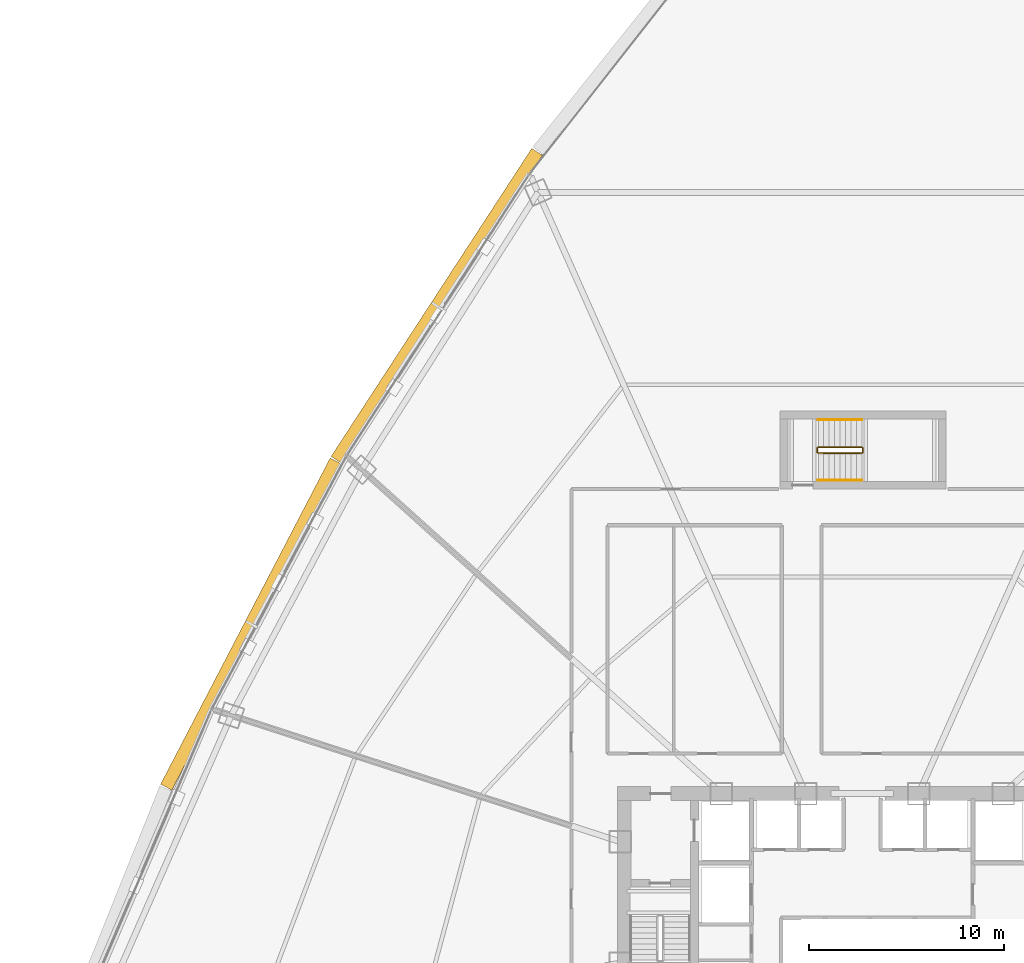
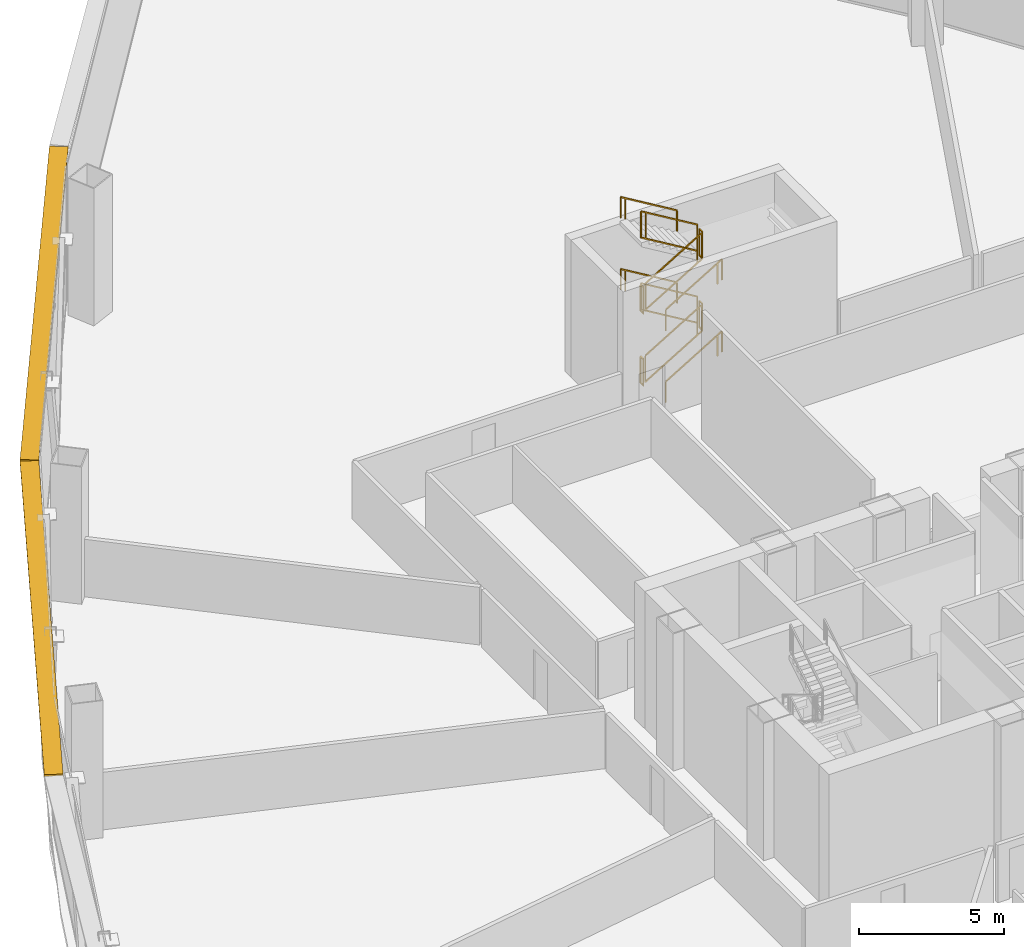
# One storey, part 40 of 41: 12 railings, 2 shading devices.
"""IFC4 building model written with IfcOpenShell, lengths in metres."""

from ifc_helpers import new_model, si_unit, direction, frame, origin, origin_2d, place, context, subcontext, project, spatial, rectangle, extrude, source, transform, mapped, material, layer, layer_set, type_object, element, save


model = new_model("IFC4")

# Units and contexts
model_context = context("Model", 3, precision=1e-05, world=origin(), true_north=direction((0.0, 1.0)))
body_context = subcontext(model_context, "Body", "Model", "MODEL_VIEW")
ifc_project = project(units=[si_unit("LENGTHUNIT", "METRE"), si_unit("AREAUNIT", "SQUARE_METRE"), si_unit("VOLUMEUNIT", "CUBIC_METRE"), si_unit("PLANEANGLEUNIT", "RADIAN"), si_unit("MASSUNIT", "GRAM", prefix="KILO"), si_unit("THERMODYNAMICTEMPERATUREUNIT", "KELVIN"), si_unit("POWERUNIT", "WATT")], contexts=[model_context])

# Site, building, storey
site_placement = place(None, origin())
site = spatial("IfcSite", under=ifc_project, at=site_placement, CompositionType="ELEMENT")
building_placement = place(site_placement, origin())
building = spatial("IfcBuilding", under=site, at=building_placement, Name="Yunzhuo Pagoda Commons", CompositionType="ELEMENT")
storey_placement = place(building_placement, frame((0.0, 0.0, 70.330078125)))
storey = spatial("IfcBuildingStorey", under=building, at=storey_placement, Name="L18", CompositionType="ELEMENT", Elevation=70.330078125)

# Railings
ifc_material = material(Name="Anodized aluminium 6063-T6", Category="aluminium")
railing_type_1 = type_object("IfcRailingType", Name="GR-ST3 North Well Guardrail 1155", PredefinedType="GUARDRAIL", material=ifc_material)
railing_1_placement = place(storey_placement, frame((45.75, 57.64990234375, 0.16796875)))
element("IfcRailing", 1, at=railing_1_placement, inside=storey, type_object=railing_type_1, Name="L18 ST3 stair guard 1", PredefinedType="GUARDRAIL", context=body_context, shape_type="SweptSolid", body=[
    extrude(rectangle(XDim=0.048095703125, YDim=0.048095703125, at=origin_2d()), frame((0.0, 0.0, 1.1259765625), z_axis=(0.857410458173, 0.0, 0.514633176366), x_axis=(0.0, 1.0, 0.0)), (0.0, 0.0, 1.0), 2.612548828125),
    extrude(rectangle(XDim=0.048095703125, YDim=0.048095703125, at=origin_2d()), frame((0.0, 0.0, 0.02392578125), z_axis=(0.857410458173, 0.0, 0.514633176366), x_axis=(0.0, 1.0, 0.0)), (0.0, 0.0, 1.0), 2.612548828125),
    extrude(rectangle(XDim=0.0419921875, YDim=0.0419921875, at=origin_2d()), origin(), (0.0, 0.0, 1.0), 1.101806640625),
    extrude(rectangle(XDim=0.0419921875, YDim=0.0419921875, at=origin_2d()), frame((2.057861328125, 0.0, 1.235107421875)), (0.0, 0.0, 1.0), 1.101806640625),
    extrude(rectangle(XDim=0.0419921875, YDim=0.0419921875, at=origin_2d()), frame((2.239990234375, 0.0, 1.344482421875)), (0.0, 0.0, 1.0), 1.101806640625),
])
railing_2_placement = place(storey_placement, frame((48.0400390625, 57.699951171875, 1.512451171875)))
element("IfcRailing", 2, at=railing_2_placement, inside=storey, type_object=railing_type_1, Name="L18 ST3 stair guard 2", PredefinedType="GUARDRAIL", context=body_context, shape_type="SweptSolid", body=[
    extrude(rectangle(XDim=0.048095703125, YDim=0.048095703125, at=origin_2d()), frame((0.0, 0.0, 1.1259765625), z_axis=(0.0, 1.0, 0.0), x_axis=(-1.0, 0.0, 0.0)), (0.0, 0.0, 1.0), 0.199951171875),
    extrude(rectangle(XDim=0.048095703125, YDim=0.048095703125, at=origin_2d()), frame((0.0, 0.0, 0.02392578125), z_axis=(0.0, 1.0, 0.0), x_axis=(-1.0, 0.0, 0.0)), (0.0, 0.0, 1.0), 0.199951171875),
    extrude(rectangle(XDim=0.0419921875, YDim=0.0419921875, at=origin_2d()), origin(), (0.0, 0.0, 1.0), 1.101806640625),
    extrude(rectangle(XDim=0.0419921875, YDim=0.0419921875, at=origin_2d()), frame((0.0, 0.199951171875, 0.0)), (0.0, 0.0, 1.0), 1.101806640625),
])
railing_3_placement = place(storey_placement, frame((47.989990234375, 57.949951171875, 1.680419921875)))
element("IfcRailing", 3, at=railing_3_placement, inside=storey, type_object=railing_type_1, Name="L18 ST3 stair guard 3", PredefinedType="GUARDRAIL", context=body_context, shape_type="SweptSolid", body=[
    extrude(rectangle(XDim=0.048095703125, YDim=0.048095703125, at=origin_2d()), frame((0.0, 0.0, 1.1259765625), z_axis=(-0.857410458173, 0.0, 0.514633176366), x_axis=(0.0, -1.0, 0.0)), (0.0, 0.0, 1.0), 2.612548828125),
    extrude(rectangle(XDim=0.048095703125, YDim=0.048095703125, at=origin_2d()), frame((0.0, 0.0, 0.02392578125), z_axis=(-0.857410458173, 0.0, 0.514633176366), x_axis=(0.0, -1.0, 0.0)), (0.0, 0.0, 1.0), 2.612548828125),
    extrude(rectangle(XDim=0.0419921875, YDim=0.0419921875, at=origin_2d()), origin(), (0.0, 0.0, 1.0), 1.101806640625),
    extrude(rectangle(XDim=0.0419921875, YDim=0.0419921875, at=origin_2d()), frame((-2.057861328125, 0.0, 1.235107421875)), (0.0, 0.0, 1.0), 1.101806640625),
    extrude(rectangle(XDim=0.0419921875, YDim=0.0419921875, at=origin_2d()), frame((-2.239990234375, 0.0, 1.344482421875)), (0.0, 0.0, 1.0), 1.101806640625),
])
railing_4_placement = place(storey_placement, frame((45.699951171875, 57.699951171875, 3.02490234375)))
element("IfcRailing", 4, at=railing_4_placement, inside=storey, type_object=railing_type_1, Name="L18 ST3 stair guard 4", PredefinedType="GUARDRAIL", context=body_context, shape_type="SweptSolid", body=[
    extrude(rectangle(XDim=0.048095703125, YDim=0.048095703125, at=origin_2d()), frame((0.0, 0.0, 1.1259765625), z_axis=(0.0, 1.0, 0.0), x_axis=(-1.0, 0.0, 0.0)), (0.0, 0.0, 1.0), 0.199951171875),
    extrude(rectangle(XDim=0.048095703125, YDim=0.048095703125, at=origin_2d()), frame((0.0, 0.0, 0.02392578125), z_axis=(0.0, 1.0, 0.0), x_axis=(-1.0, 0.0, 0.0)), (0.0, 0.0, 1.0), 0.199951171875),
    extrude(rectangle(XDim=0.0419921875, YDim=0.0419921875, at=origin_2d()), origin(), (0.0, 0.0, 1.0), 1.101806640625),
    extrude(rectangle(XDim=0.0419921875, YDim=0.0419921875, at=origin_2d()), frame((0.0, 0.199951171875, 0.0)), (0.0, 0.0, 1.0), 1.101806640625),
])
railing_5_placement = place(storey_placement, frame((45.75, 57.64990234375, 3.19287109375)))
element("IfcRailing", 5, at=railing_5_placement, inside=storey, type_object=railing_type_1, Name="L18 ST3 stair guard 5", PredefinedType="GUARDRAIL", context=body_context, shape_type="SweptSolid", body=[
    extrude(rectangle(XDim=0.048095703125, YDim=0.048095703125, at=origin_2d()), frame((0.0, 0.0, 1.1259765625), z_axis=(0.857410458173, 0.0, 0.514633176366), x_axis=(0.0, 1.0, 0.0)), (0.0, 0.0, 1.0), 2.612548828125),
    extrude(rectangle(XDim=0.048095703125, YDim=0.048095703125, at=origin_2d()), frame((0.0, 0.0, 0.02392578125), z_axis=(0.857410458173, 0.0, 0.514633176366), x_axis=(0.0, 1.0, 0.0)), (0.0, 0.0, 1.0), 2.612548828125),
    extrude(rectangle(XDim=0.0419921875, YDim=0.0419921875, at=origin_2d()), origin(), (0.0, 0.0, 1.0), 1.101806640625),
    extrude(rectangle(XDim=0.0419921875, YDim=0.0419921875, at=origin_2d()), frame((2.057861328125, 0.0, 1.235107421875)), (0.0, 0.0, 1.0), 1.101806640625),
    extrude(rectangle(XDim=0.0419921875, YDim=0.0419921875, at=origin_2d()), frame((2.239990234375, 0.0, 1.344482421875)), (0.0, 0.0, 1.0), 1.101806640625),
])
railing_6_placement = place(storey_placement, frame((48.0400390625, 57.699951171875, 4.537353515625)))
element("IfcRailing", 6, at=railing_6_placement, inside=storey, type_object=railing_type_1, Name="L18 ST3 stair guard 6", PredefinedType="GUARDRAIL", context=body_context, shape_type="SweptSolid", body=[
    extrude(rectangle(XDim=0.048095703125, YDim=0.048095703125, at=origin_2d()), frame((0.0, 0.0, 1.1259765625), z_axis=(0.0, 1.0, 0.0), x_axis=(-1.0, 0.0, 0.0)), (0.0, 0.0, 1.0), 0.199951171875),
    extrude(rectangle(XDim=0.048095703125, YDim=0.048095703125, at=origin_2d()), frame((0.0, 0.0, 0.02392578125), z_axis=(0.0, 1.0, 0.0), x_axis=(-1.0, 0.0, 0.0)), (0.0, 0.0, 1.0), 0.199951171875),
    extrude(rectangle(XDim=0.0419921875, YDim=0.0419921875, at=origin_2d()), origin(), (0.0, 0.0, 1.0), 1.101806640625),
    extrude(rectangle(XDim=0.0419921875, YDim=0.0419921875, at=origin_2d()), frame((0.0, 0.199951171875, 0.0)), (0.0, 0.0, 1.0), 1.101806640625),
])
railing_7_placement = place(storey_placement, frame((47.989990234375, 57.949951171875, 4.70556640625)))
element("IfcRailing", 7, at=railing_7_placement, inside=storey, type_object=railing_type_1, Name="L18 ST3 stair guard 7", PredefinedType="GUARDRAIL", context=body_context, shape_type="SweptSolid", body=[
    extrude(rectangle(XDim=0.048095703125, YDim=0.048095703125, at=origin_2d()), frame((0.0, 0.0, 1.1259765625), z_axis=(-0.857451692713, 0.0, 0.514564470853), x_axis=(0.0, -1.0, 0.0)), (0.0, 0.0, 1.0), 2.6123046875),
    extrude(rectangle(XDim=0.048095703125, YDim=0.048095703125, at=origin_2d()), frame((0.0, 0.0, 0.02392578125), z_axis=(-0.857451692713, 0.0, 0.514564470853), x_axis=(0.0, -1.0, 0.0)), (0.0, 0.0, 1.0), 2.6123046875),
    extrude(rectangle(XDim=0.0419921875, YDim=0.0419921875, at=origin_2d()), origin(), (0.0, 0.0, 1.0), 1.101806640625),
    extrude(rectangle(XDim=0.0419921875, YDim=0.0419921875, at=origin_2d()), frame((-2.057861328125, 0.0, 1.23486328125)), (0.0, 0.0, 1.0), 1.101806640625),
    extrude(rectangle(XDim=0.0419921875, YDim=0.0419921875, at=origin_2d()), frame((-2.239990234375, 0.0, 1.34423828125)), (0.0, 0.0, 1.0), 1.101806640625),
])
railing_8_placement = place(storey_placement, frame((45.699951171875, 57.699951171875, 0.0)))
element("IfcRailing", 8, at=railing_8_placement, inside=storey, type_object=railing_type_1, Name="L18 ST3 stair guard 8", PredefinedType="GUARDRAIL", context=body_context, shape_type="SweptSolid", body=[
    extrude(rectangle(XDim=0.048095703125, YDim=0.048095703125, at=origin_2d()), frame((0.0, 0.0, 1.1259765625), z_axis=(0.0, 1.0, 0.0), x_axis=(-1.0, 0.0, 0.0)), (0.0, 0.0, 1.0), 0.199951171875),
    extrude(rectangle(XDim=0.048095703125, YDim=0.048095703125, at=origin_2d()), frame((0.0, 0.0, 0.02392578125), z_axis=(0.0, 1.0, 0.0), x_axis=(-1.0, 0.0, 0.0)), (0.0, 0.0, 1.0), 0.199951171875),
    extrude(rectangle(XDim=0.0419921875, YDim=0.0419921875, at=origin_2d()), origin(), (0.0, 0.0, 1.0), 1.101806640625),
    extrude(rectangle(XDim=0.0419921875, YDim=0.0419921875, at=origin_2d()), frame((0.0, 0.199951171875, 0.0)), (0.0, 0.0, 1.0), 1.101806640625),
])
railing_type_2 = type_object("IfcRailingType", Name="HR-ST3 North Stair Handrail 900", PredefinedType="HANDRAIL", material=ifc_material)
railing_9_placement = place(storey_placement, frame((45.75, 56.25, 0.16796875)))
element("IfcRailing", 9, at=railing_9_placement, inside=storey, type_object=railing_type_2, Name="L18 ST3 stair handrail 1", PredefinedType="HANDRAIL", context=body_context, shape_type="SweptSolid", body=[
    extrude(rectangle(XDim=0.048095703125, YDim=0.048095703125, at=origin_2d()), frame((0.0, 0.0, 0.8759765625), z_axis=(0.857410458173, 0.0, 0.514633176366), x_axis=(0.0, 1.0, 0.0)), (0.0, 0.0, 1.0), 2.612548828125),
    extrude(rectangle(XDim=0.0419921875, YDim=0.0419921875, at=origin_2d()), origin(), (0.0, 0.0, 1.0), 0.851806640625),
    extrude(rectangle(XDim=0.0419921875, YDim=0.0419921875, at=origin_2d()), frame((2.057861328125, 0.0, 1.235107421875)), (0.0, 0.0, 1.0), 0.851806640625),
    extrude(rectangle(XDim=0.0419921875, YDim=0.0419921875, at=origin_2d()), frame((2.239990234375, 0.0, 1.344482421875)), (0.0, 0.0, 1.0), 0.851806640625),
])
railing_10_placement = place(storey_placement, frame((47.989990234375, 59.35009765625, 1.680419921875)))
element("IfcRailing", 10, at=railing_10_placement, inside=storey, type_object=railing_type_2, Name="L18 ST3 stair handrail 2", PredefinedType="HANDRAIL", context=body_context, shape_type="SweptSolid", body=[
    extrude(rectangle(XDim=0.048095703125, YDim=0.048095703125, at=origin_2d()), frame((0.0, 0.0, 0.8759765625), z_axis=(-0.857410458173, 0.0, 0.514633176366), x_axis=(0.0, -1.0, 0.0)), (0.0, 0.0, 1.0), 2.612548828125),
    extrude(rectangle(XDim=0.0419921875, YDim=0.0419921875, at=origin_2d()), origin(), (0.0, 0.0, 1.0), 0.851806640625),
    extrude(rectangle(XDim=0.0419921875, YDim=0.0419921875, at=origin_2d()), frame((-2.057861328125, 0.0, 1.235107421875)), (0.0, 0.0, 1.0), 0.851806640625),
    extrude(rectangle(XDim=0.0419921875, YDim=0.0419921875, at=origin_2d()), frame((-2.239990234375, 0.0, 1.344482421875)), (0.0, 0.0, 1.0), 0.851806640625),
])
railing_11_placement = place(storey_placement, frame((45.75, 56.25, 3.19287109375)))
element("IfcRailing", 11, at=railing_11_placement, inside=storey, type_object=railing_type_2, Name="L18 ST3 stair handrail 3", PredefinedType="HANDRAIL", context=body_context, shape_type="SweptSolid", body=[
    extrude(rectangle(XDim=0.048095703125, YDim=0.048095703125, at=origin_2d()), frame((0.0, 0.0, 0.8759765625), z_axis=(0.857410458173, 0.0, 0.514633176366), x_axis=(0.0, 1.0, 0.0)), (0.0, 0.0, 1.0), 2.612548828125),
    extrude(rectangle(XDim=0.0419921875, YDim=0.0419921875, at=origin_2d()), origin(), (0.0, 0.0, 1.0), 0.851806640625),
    extrude(rectangle(XDim=0.0419921875, YDim=0.0419921875, at=origin_2d()), frame((2.057861328125, 0.0, 1.235107421875)), (0.0, 0.0, 1.0), 0.851806640625),
    extrude(rectangle(XDim=0.0419921875, YDim=0.0419921875, at=origin_2d()), frame((2.239990234375, 0.0, 1.344482421875)), (0.0, 0.0, 1.0), 0.851806640625),
])
railing_12_placement = place(storey_placement, frame((47.989990234375, 59.35009765625, 4.70556640625)))
element("IfcRailing", 12, at=railing_12_placement, inside=storey, type_object=railing_type_2, Name="L18 ST3 stair handrail 4", PredefinedType="HANDRAIL", context=body_context, shape_type="SweptSolid", body=[
    extrude(rectangle(XDim=0.048095703125, YDim=0.048095703125, at=origin_2d()), frame((0.0, 0.0, 0.8759765625), z_axis=(-0.857451692713, 0.0, 0.514564470853), x_axis=(0.0, -1.0, 0.0)), (0.0, 0.0, 1.0), 2.6123046875),
    extrude(rectangle(XDim=0.0419921875, YDim=0.0419921875, at=origin_2d()), origin(), (0.0, 0.0, 1.0), 0.851806640625),
    extrude(rectangle(XDim=0.0419921875, YDim=0.0419921875, at=origin_2d()), frame((-2.057861328125, 0.0, 1.23486328125)), (0.0, 0.0, 1.0), 0.851806640625),
    extrude(rectangle(XDim=0.0419921875, YDim=0.0419921875, at=origin_2d()), frame((-2.239990234375, 0.0, 1.34423828125)), (0.0, 0.0, 1.0), 0.851806640625),
])

# Shading devices
ifc_layer = layer(ifc_material, 0.080078125)
ifc_layer_set = layer_set([ifc_layer], Name="Anodized aluminium 6063-T6")
shading_device_type = type_object("IfcShadingDeviceType", Name="SH-SUN1 Pagoda Horizontal Sunshade Eave 650", PredefinedType="USERDEFINED", material=ifc_layer_set)
shared_shape = source(origin(), body_context, "Body", "SweptSolid", [
    extrude(rectangle(XDim=18.843994140625, YDim=0.64990234375, at=origin_2d()), origin(), (0.0, 0.0, 1.0), 0.080078125),
])
for number, where, z_axis, x_axis, name in (
    (13, (26.196044921875, 65.1953125, 5.68994140625), (0.0, 0.0, 1.0), (-0.545838756973, -0.837890238269, 0.0), "L18 horizontal pagoda sunshade eave F3.2"),
    (14, (16.675537109375, 48.8857421875, 5.68994140625), (0.0, 0.0, 1.0), (-0.461206683033, -0.88729273384, 0.0), "L18 horizontal pagoda sunshade eave F3.3"),
):
    element("IfcShadingDevice", number, at=place(storey_placement, frame(where, z_axis=z_axis, x_axis=x_axis)), inside=storey, type_object=shading_device_type, Name=name, ObjectType="SUNSHADE", PredefinedType="USERDEFINED", context=body_context, shape_type="MappedRepresentation", body=[
        mapped(shared_shape, transform((0.0, 0.0, 0.0), scale=1.0)),
    ])

save(model, "model.ifc")
